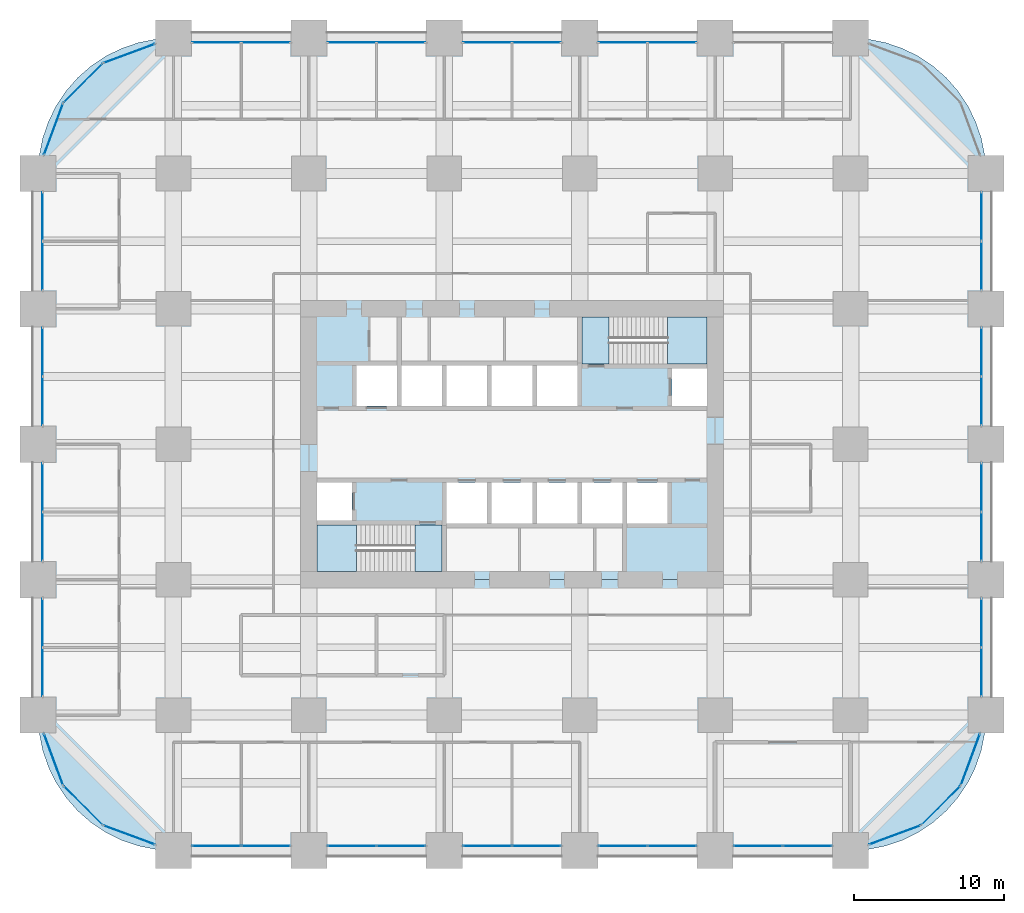
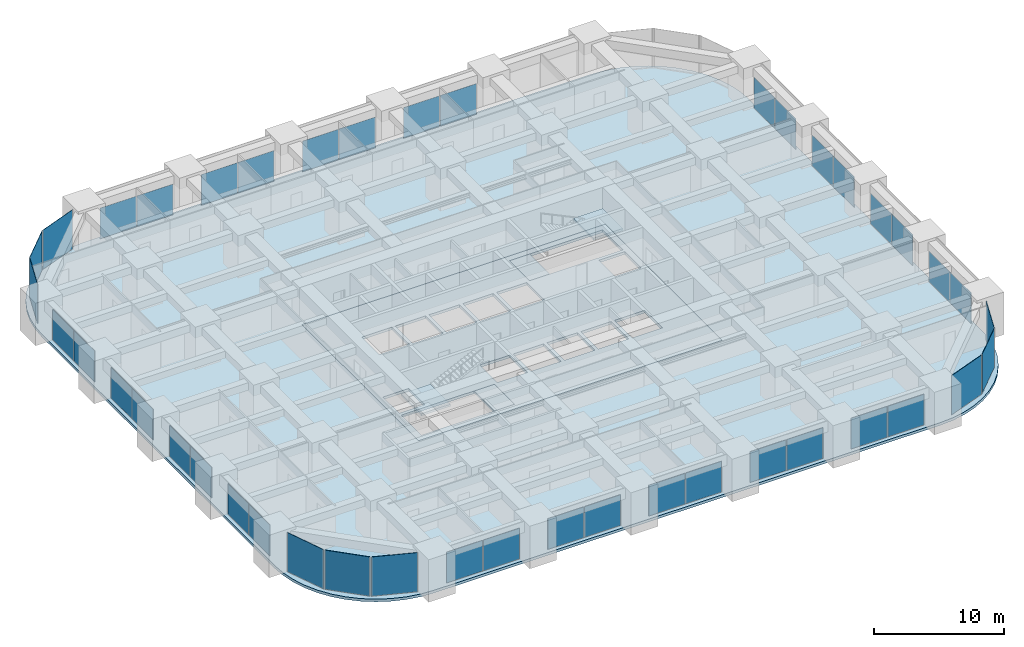
# One storey, part 38 of 44: 43 plates, 6 slabs, 28 elements without a shape of their own.
"""IFC4 building model written with IfcOpenShell, lengths in metres."""

from ifc_helpers import new_model, si_unit, direction, frame, origin, origin_2d, place, context, subcontext, project, spatial, polyline, rectangle, outline, extrude, material, layer, layer_set, type_object, element, aggregate, save


model = new_model("IFC4")

# Units and contexts
model_context = context("Model", 3, precision=1e-05, world=origin(), true_north=direction((0.0, 1.0)))
body_context = subcontext(model_context, "Body", "Model", "MODEL_VIEW")
ifc_project = project(units=[si_unit("LENGTHUNIT", "METRE"), si_unit("AREAUNIT", "SQUARE_METRE"), si_unit("VOLUMEUNIT", "CUBIC_METRE"), si_unit("PLANEANGLEUNIT", "RADIAN"), si_unit("MASSUNIT", "GRAM", prefix="KILO")], contexts=[model_context])

# Site, building, storey
site_placement = place(None, origin())
site = spatial("IfcSite", under=ifc_project, at=site_placement, CompositionType="ELEMENT")
building_placement = place(site_placement, origin())
building = spatial("IfcBuilding", under=site, at=building_placement, Name="Zorevar Civic Tower", CompositionType="ELEMENT")
storey_placement = place(building_placement, frame((0.0, 0.0, 35.800048828125)))
storey = spatial("IfcBuildingStorey", under=building, at=storey_placement, Name="L08", CompositionType="ELEMENT", Elevation=35.800048828125)

# Curtain wall, plates
ifc_material_1 = material(Name="Dark grey solar-control glass in black aluminium frame", Category="aluminium")
curtain_wall_type = type_object("IfcCurtainWallType", Name="Curtain wall CW2 low zone", PredefinedType="NOTDEFINED", material=ifc_material_1)
curtain_wall_1_placement = place(storey_placement, origin())
curtain_wall_1 = element("IfcCurtainWall", 1, at=curtain_wall_1_placement, inside=storey, type_object=curtain_wall_type, Name="CW2 L08", PredefinedType="NOTDEFINED")
ifc_material_2 = material(Name="Dark grey solar-control glass", Category="glass")
ifc_layer_1 = layer(ifc_material_2, 0.031982421875)
ifc_layer_set_1 = layer_set([ifc_layer_1], Name="CW2 panel 32")
plate_type = type_object("IfcPlateType", Name="CW2 panel 32", PredefinedType="CURTAIN_PANEL", material=ifc_layer_set_1)
plate_1_placement = place(storey_placement, frame((11.864990234375, 0.300048828125, 0.06005859375), z_axis=(0.0, 0.0, 1.0), x_axis=(1.0, 0.0, 0.0)))
plate_1 = element("IfcPlate", 2, at=plate_1_placement, type_object=plate_type, Name="CW2 panel 1.1", PredefinedType="CURTAIN_PANEL", context=body_context, shape_type="SweptSolid", body=[
    extrude(rectangle(XDim=3.2099609375, YDim=0.031982421875, at=origin_2d()), origin(), (0.0, 0.0, 1.0), 2.889892578125),
])
plate_2_placement = place(storey_placement, frame((15.135009765625, 0.300048828125, 0.06005859375), z_axis=(0.0, 0.0, 1.0), x_axis=(1.0, 0.0, 0.0)))
plate_2 = element("IfcPlate", 3, at=plate_2_placement, type_object=plate_type, Name="CW2 panel 2.1", PredefinedType="CURTAIN_PANEL", context=body_context, shape_type="SweptSolid", body=[
    extrude(rectangle(XDim=3.2099609375, YDim=0.031982421875, at=origin_2d()), origin(), (0.0, 0.0, 1.0), 2.889892578125),
])
aggregate(curtain_wall_1, [plate_1, plate_2])

curtain_wall_2_placement = place(storey_placement, origin())
curtain_wall_2 = element("IfcCurtainWall", 4, at=curtain_wall_2_placement, inside=storey, type_object=curtain_wall_type, Name="CW2 L08", PredefinedType="NOTDEFINED")
plate_3_placement = place(storey_placement, frame((11.864990234375, 53.699951171875, 0.06005859375), z_axis=(0.0, 0.0, 1.0), x_axis=(1.0, 0.0, 0.0)))
plate_3 = element("IfcPlate", 5, at=plate_3_placement, type_object=plate_type, Name="CW2 panel 1.1", PredefinedType="CURTAIN_PANEL", context=body_context, shape_type="SweptSolid", body=[
    extrude(rectangle(XDim=3.2099609375, YDim=0.031982421875, at=origin_2d()), origin(), (0.0, 0.0, 1.0), 2.889892578125),
])
plate_4_placement = place(storey_placement, frame((15.135009765625, 53.699951171875, 0.06005859375), z_axis=(0.0, 0.0, 1.0), x_axis=(1.0, 0.0, 0.0)))
plate_4 = element("IfcPlate", 6, at=plate_4_placement, type_object=plate_type, Name="CW2 panel 2.1", PredefinedType="CURTAIN_PANEL", context=body_context, shape_type="SweptSolid", body=[
    extrude(rectangle(XDim=3.2099609375, YDim=0.031982421875, at=origin_2d()), origin(), (0.0, 0.0, 1.0), 2.889892578125),
])
aggregate(curtain_wall_2, [plate_3, plate_4])

curtain_wall_3_placement = place(storey_placement, origin())
curtain_wall_3 = element("IfcCurtainWall", 7, at=curtain_wall_3_placement, inside=storey, type_object=curtain_wall_type, Name="CW2 L08", PredefinedType="NOTDEFINED")
plate_5_placement = place(storey_placement, frame((20.864990234375, 0.300048828125, 0.06005859375), z_axis=(0.0, 0.0, 1.0), x_axis=(1.0, 0.0, 0.0)))
plate_5 = element("IfcPlate", 8, at=plate_5_placement, type_object=plate_type, Name="CW2 panel 1.1", PredefinedType="CURTAIN_PANEL", context=body_context, shape_type="SweptSolid", body=[
    extrude(rectangle(XDim=3.2099609375, YDim=0.031982421875, at=origin_2d()), origin(), (0.0, 0.0, 1.0), 2.889892578125),
])
plate_6_placement = place(storey_placement, frame((24.135009765625, 0.300048828125, 0.06005859375), z_axis=(0.0, 0.0, 1.0), x_axis=(1.0, 0.0, 0.0)))
plate_6 = element("IfcPlate", 9, at=plate_6_placement, type_object=plate_type, Name="CW2 panel 2.1", PredefinedType="CURTAIN_PANEL", context=body_context, shape_type="SweptSolid", body=[
    extrude(rectangle(XDim=3.2099609375, YDim=0.031982421875, at=origin_2d()), origin(), (0.0, 0.0, 1.0), 2.889892578125),
])
aggregate(curtain_wall_3, [plate_5, plate_6])

curtain_wall_4_placement = place(storey_placement, origin())
curtain_wall_4 = element("IfcCurtainWall", 10, at=curtain_wall_4_placement, inside=storey, type_object=curtain_wall_type, Name="CW2 L08", PredefinedType="NOTDEFINED")
plate_7_placement = place(storey_placement, frame((20.864990234375, 53.699951171875, 0.06005859375), z_axis=(0.0, 0.0, 1.0), x_axis=(1.0, 0.0, 0.0)))
plate_7 = element("IfcPlate", 11, at=plate_7_placement, type_object=plate_type, Name="CW2 panel 1.1", PredefinedType="CURTAIN_PANEL", context=body_context, shape_type="SweptSolid", body=[
    extrude(rectangle(XDim=3.2099609375, YDim=0.031982421875, at=origin_2d()), origin(), (0.0, 0.0, 1.0), 2.889892578125),
])
plate_8_placement = place(storey_placement, frame((24.135009765625, 53.699951171875, 0.06005859375), z_axis=(0.0, 0.0, 1.0), x_axis=(1.0, 0.0, 0.0)))
plate_8 = element("IfcPlate", 12, at=plate_8_placement, type_object=plate_type, Name="CW2 panel 2.1", PredefinedType="CURTAIN_PANEL", context=body_context, shape_type="SweptSolid", body=[
    extrude(rectangle(XDim=3.2099609375, YDim=0.031982421875, at=origin_2d()), origin(), (0.0, 0.0, 1.0), 2.889892578125),
])
aggregate(curtain_wall_4, [plate_7, plate_8])

curtain_wall_5_placement = place(storey_placement, origin())
curtain_wall_5 = element("IfcCurtainWall", 13, at=curtain_wall_5_placement, inside=storey, type_object=curtain_wall_type, Name="CW2 L08", PredefinedType="NOTDEFINED")
plate_9_placement = place(storey_placement, frame((29.864990234375, 0.300048828125, 0.06005859375), z_axis=(0.0, 0.0, 1.0), x_axis=(1.0, 0.0, 0.0)))
plate_9 = element("IfcPlate", 14, at=plate_9_placement, type_object=plate_type, Name="CW2 panel 1.1", PredefinedType="CURTAIN_PANEL", context=body_context, shape_type="SweptSolid", body=[
    extrude(rectangle(XDim=3.2099609375, YDim=0.031982421875, at=origin_2d()), origin(), (0.0, 0.0, 1.0), 2.889892578125),
])
plate_10_placement = place(storey_placement, frame((33.135009765625, 0.300048828125, 0.06005859375), z_axis=(0.0, 0.0, 1.0), x_axis=(1.0, 0.0, 0.0)))
plate_10 = element("IfcPlate", 15, at=plate_10_placement, type_object=plate_type, Name="CW2 panel 2.1", PredefinedType="CURTAIN_PANEL", context=body_context, shape_type="SweptSolid", body=[
    extrude(rectangle(XDim=3.2099609375, YDim=0.031982421875, at=origin_2d()), origin(), (0.0, 0.0, 1.0), 2.889892578125),
])
aggregate(curtain_wall_5, [plate_9, plate_10])

curtain_wall_6_placement = place(storey_placement, origin())
curtain_wall_6 = element("IfcCurtainWall", 16, at=curtain_wall_6_placement, inside=storey, type_object=curtain_wall_type, Name="CW2 L08", PredefinedType="NOTDEFINED")
plate_11_placement = place(storey_placement, frame((29.864990234375, 53.699951171875, 0.06005859375), z_axis=(0.0, 0.0, 1.0), x_axis=(1.0, 0.0, 0.0)))
plate_11 = element("IfcPlate", 17, at=plate_11_placement, type_object=plate_type, Name="CW2 panel 1.1", PredefinedType="CURTAIN_PANEL", context=body_context, shape_type="SweptSolid", body=[
    extrude(rectangle(XDim=3.2099609375, YDim=0.031982421875, at=origin_2d()), origin(), (0.0, 0.0, 1.0), 2.889892578125),
])
plate_12_placement = place(storey_placement, frame((33.135009765625, 53.699951171875, 0.06005859375), z_axis=(0.0, 0.0, 1.0), x_axis=(1.0, 0.0, 0.0)))
plate_12 = element("IfcPlate", 18, at=plate_12_placement, type_object=plate_type, Name="CW2 panel 2.1", PredefinedType="CURTAIN_PANEL", context=body_context, shape_type="SweptSolid", body=[
    extrude(rectangle(XDim=3.2099609375, YDim=0.031982421875, at=origin_2d()), origin(), (0.0, 0.0, 1.0), 2.889892578125),
])
aggregate(curtain_wall_6, [plate_11, plate_12])

curtain_wall_7_placement = place(storey_placement, origin())
curtain_wall_7 = element("IfcCurtainWall", 19, at=curtain_wall_7_placement, inside=storey, type_object=curtain_wall_type, Name="CW2 L08", PredefinedType="NOTDEFINED")
plate_13_placement = place(storey_placement, frame((38.864990234375, 0.300048828125, 0.06005859375), z_axis=(0.0, 0.0, 1.0), x_axis=(1.0, 0.0, 0.0)))
plate_13 = element("IfcPlate", 20, at=plate_13_placement, type_object=plate_type, Name="CW2 panel 1.1", PredefinedType="CURTAIN_PANEL", context=body_context, shape_type="SweptSolid", body=[
    extrude(rectangle(XDim=3.2099609375, YDim=0.031982421875, at=origin_2d()), origin(), (0.0, 0.0, 1.0), 2.889892578125),
])
plate_14_placement = place(storey_placement, frame((42.135009765625, 0.300048828125, 0.06005859375), z_axis=(0.0, 0.0, 1.0), x_axis=(1.0, 0.0, 0.0)))
plate_14 = element("IfcPlate", 21, at=plate_14_placement, type_object=plate_type, Name="CW2 panel 2.1", PredefinedType="CURTAIN_PANEL", context=body_context, shape_type="SweptSolid", body=[
    extrude(rectangle(XDim=3.2099609375, YDim=0.031982421875, at=origin_2d()), origin(), (0.0, 0.0, 1.0), 2.889892578125),
])
aggregate(curtain_wall_7, [plate_13, plate_14])

curtain_wall_8_placement = place(storey_placement, origin())
curtain_wall_8 = element("IfcCurtainWall", 22, at=curtain_wall_8_placement, inside=storey, type_object=curtain_wall_type, Name="CW2 L08", PredefinedType="NOTDEFINED")
plate_15_placement = place(storey_placement, frame((38.864990234375, 53.699951171875, 0.06005859375), z_axis=(0.0, 0.0, 1.0), x_axis=(1.0, 0.0, 0.0)))
plate_15 = element("IfcPlate", 23, at=plate_15_placement, type_object=plate_type, Name="CW2 panel 1.1", PredefinedType="CURTAIN_PANEL", context=body_context, shape_type="SweptSolid", body=[
    extrude(rectangle(XDim=3.2099609375, YDim=0.031982421875, at=origin_2d()), origin(), (0.0, 0.0, 1.0), 2.889892578125),
])
plate_16_placement = place(storey_placement, frame((42.135009765625, 53.699951171875, 0.06005859375), z_axis=(0.0, 0.0, 1.0), x_axis=(1.0, 0.0, 0.0)))
plate_16 = element("IfcPlate", 24, at=plate_16_placement, type_object=plate_type, Name="CW2 panel 2.1", PredefinedType="CURTAIN_PANEL", context=body_context, shape_type="SweptSolid", body=[
    extrude(rectangle(XDim=3.2099609375, YDim=0.031982421875, at=origin_2d()), origin(), (0.0, 0.0, 1.0), 2.889892578125),
])
aggregate(curtain_wall_8, [plate_15, plate_16])

curtain_wall_9_placement = place(storey_placement, origin())
curtain_wall_9 = element("IfcCurtainWall", 25, at=curtain_wall_9_placement, inside=storey, type_object=curtain_wall_type, Name="CW2 L08", PredefinedType="NOTDEFINED")
plate_17_placement = place(storey_placement, frame((47.864990234375, 0.300048828125, 0.06005859375), z_axis=(0.0, 0.0, 1.0), x_axis=(1.0, 0.0, 0.0)))
plate_17 = element("IfcPlate", 26, at=plate_17_placement, type_object=plate_type, Name="CW2 panel 1.1", PredefinedType="CURTAIN_PANEL", context=body_context, shape_type="SweptSolid", body=[
    extrude(rectangle(XDim=3.2099609375, YDim=0.031982421875, at=origin_2d()), origin(), (0.0, 0.0, 1.0), 2.889892578125),
])
plate_18_placement = place(storey_placement, frame((51.135009765625, 0.300048828125, 0.06005859375), z_axis=(0.0, 0.0, 1.0), x_axis=(1.0, 0.0, 0.0)))
plate_18 = element("IfcPlate", 27, at=plate_18_placement, type_object=plate_type, Name="CW2 panel 2.1", PredefinedType="CURTAIN_PANEL", context=body_context, shape_type="SweptSolid", body=[
    extrude(rectangle(XDim=3.2099609375, YDim=0.031982421875, at=origin_2d()), origin(), (0.0, 0.0, 1.0), 2.889892578125),
])
aggregate(curtain_wall_9, [plate_17, plate_18])

curtain_wall_10_placement = place(storey_placement, origin())
curtain_wall_10 = element("IfcCurtainWall", 28, at=curtain_wall_10_placement, inside=storey, type_object=curtain_wall_type, Name="CW2 L08", PredefinedType="NOTDEFINED")
plate_19_placement = place(storey_placement, frame((0.300048828125, 11.864990234375, 0.06005859375), z_axis=(0.0, 0.0, 1.0), x_axis=(0.0, 1.0, 0.0)))
plate_19 = element("IfcPlate", 29, at=plate_19_placement, type_object=plate_type, Name="CW2 panel 1.1", PredefinedType="CURTAIN_PANEL", context=body_context, shape_type="SweptSolid", body=[
    extrude(rectangle(XDim=3.2099609375, YDim=0.031982421875, at=origin_2d()), origin(), (0.0, 0.0, 1.0), 2.889892578125),
])
plate_20_placement = place(storey_placement, frame((0.300048828125, 15.135009765625, 0.06005859375), z_axis=(0.0, 0.0, 1.0), x_axis=(0.0, 1.0, 0.0)))
plate_20 = element("IfcPlate", 30, at=plate_20_placement, type_object=plate_type, Name="CW2 panel 2.1", PredefinedType="CURTAIN_PANEL", context=body_context, shape_type="SweptSolid", body=[
    extrude(rectangle(XDim=3.2099609375, YDim=0.031982421875, at=origin_2d()), origin(), (0.0, 0.0, 1.0), 2.889892578125),
])
aggregate(curtain_wall_10, [plate_19, plate_20])

curtain_wall_11_placement = place(storey_placement, origin())
curtain_wall_11 = element("IfcCurtainWall", 31, at=curtain_wall_11_placement, inside=storey, type_object=curtain_wall_type, Name="CW2 L08", PredefinedType="NOTDEFINED")
plate_21_placement = place(storey_placement, frame((62.699951171875, 11.864990234375, 0.06005859375), z_axis=(0.0, 0.0, 1.0), x_axis=(0.0, 1.0, 0.0)))
plate_21 = element("IfcPlate", 32, at=plate_21_placement, type_object=plate_type, Name="CW2 panel 1.1", PredefinedType="CURTAIN_PANEL", context=body_context, shape_type="SweptSolid", body=[
    extrude(rectangle(XDim=3.2099609375, YDim=0.031982421875, at=origin_2d()), origin(), (0.0, 0.0, 1.0), 2.889892578125),
])
plate_22_placement = place(storey_placement, frame((62.699951171875, 15.135009765625, 0.06005859375), z_axis=(0.0, 0.0, 1.0), x_axis=(0.0, 1.0, 0.0)))
plate_22 = element("IfcPlate", 33, at=plate_22_placement, type_object=plate_type, Name="CW2 panel 2.1", PredefinedType="CURTAIN_PANEL", context=body_context, shape_type="SweptSolid", body=[
    extrude(rectangle(XDim=3.2099609375, YDim=0.031982421875, at=origin_2d()), origin(), (0.0, 0.0, 1.0), 2.889892578125),
])
aggregate(curtain_wall_11, [plate_21, plate_22])

curtain_wall_12_placement = place(storey_placement, origin())
curtain_wall_12 = element("IfcCurtainWall", 34, at=curtain_wall_12_placement, inside=storey, type_object=curtain_wall_type, Name="CW2 L08", PredefinedType="NOTDEFINED")
plate_23_placement = place(storey_placement, frame((0.300048828125, 20.864990234375, 0.06005859375), z_axis=(0.0, 0.0, 1.0), x_axis=(0.0, 1.0, 0.0)))
plate_23 = element("IfcPlate", 35, at=plate_23_placement, type_object=plate_type, Name="CW2 panel 1.1", PredefinedType="CURTAIN_PANEL", context=body_context, shape_type="SweptSolid", body=[
    extrude(rectangle(XDim=3.2099609375, YDim=0.031982421875, at=origin_2d()), origin(), (0.0, 0.0, 1.0), 2.889892578125),
])
plate_24_placement = place(storey_placement, frame((0.300048828125, 24.135009765625, 0.06005859375), z_axis=(0.0, 0.0, 1.0), x_axis=(0.0, 1.0, 0.0)))
plate_24 = element("IfcPlate", 36, at=plate_24_placement, type_object=plate_type, Name="CW2 panel 2.1", PredefinedType="CURTAIN_PANEL", context=body_context, shape_type="SweptSolid", body=[
    extrude(rectangle(XDim=3.2099609375, YDim=0.031982421875, at=origin_2d()), origin(), (0.0, 0.0, 1.0), 2.889892578125),
])
aggregate(curtain_wall_12, [plate_23, plate_24])

curtain_wall_13_placement = place(storey_placement, origin())
curtain_wall_13 = element("IfcCurtainWall", 37, at=curtain_wall_13_placement, inside=storey, type_object=curtain_wall_type, Name="CW2 L08", PredefinedType="NOTDEFINED")
plate_25_placement = place(storey_placement, frame((62.699951171875, 20.864990234375, 0.06005859375), z_axis=(0.0, 0.0, 1.0), x_axis=(0.0, 1.0, 0.0)))
plate_25 = element("IfcPlate", 38, at=plate_25_placement, type_object=plate_type, Name="CW2 panel 1.1", PredefinedType="CURTAIN_PANEL", context=body_context, shape_type="SweptSolid", body=[
    extrude(rectangle(XDim=3.2099609375, YDim=0.031982421875, at=origin_2d()), origin(), (0.0, 0.0, 1.0), 2.889892578125),
])
plate_26_placement = place(storey_placement, frame((62.699951171875, 24.135009765625, 0.06005859375), z_axis=(0.0, 0.0, 1.0), x_axis=(0.0, 1.0, 0.0)))
plate_26 = element("IfcPlate", 39, at=plate_26_placement, type_object=plate_type, Name="CW2 panel 2.1", PredefinedType="CURTAIN_PANEL", context=body_context, shape_type="SweptSolid", body=[
    extrude(rectangle(XDim=3.2099609375, YDim=0.031982421875, at=origin_2d()), origin(), (0.0, 0.0, 1.0), 2.889892578125),
])
aggregate(curtain_wall_13, [plate_25, plate_26])

curtain_wall_14_placement = place(storey_placement, origin())
curtain_wall_14 = element("IfcCurtainWall", 40, at=curtain_wall_14_placement, inside=storey, type_object=curtain_wall_type, Name="CW2 L08", PredefinedType="NOTDEFINED")
plate_27_placement = place(storey_placement, frame((0.300048828125, 29.864990234375, 0.06005859375), z_axis=(0.0, 0.0, 1.0), x_axis=(0.0, 1.0, 0.0)))
plate_27 = element("IfcPlate", 41, at=plate_27_placement, type_object=plate_type, Name="CW2 panel 1.1", PredefinedType="CURTAIN_PANEL", context=body_context, shape_type="SweptSolid", body=[
    extrude(rectangle(XDim=3.2099609375, YDim=0.031982421875, at=origin_2d()), origin(), (0.0, 0.0, 1.0), 2.889892578125),
])
plate_28_placement = place(storey_placement, frame((0.300048828125, 33.135009765625, 0.06005859375), z_axis=(0.0, 0.0, 1.0), x_axis=(0.0, 1.0, 0.0)))
plate_28 = element("IfcPlate", 42, at=plate_28_placement, type_object=plate_type, Name="CW2 panel 2.1", PredefinedType="CURTAIN_PANEL", context=body_context, shape_type="SweptSolid", body=[
    extrude(rectangle(XDim=3.2099609375, YDim=0.031982421875, at=origin_2d()), origin(), (0.0, 0.0, 1.0), 2.889892578125),
])
aggregate(curtain_wall_14, [plate_27, plate_28])

curtain_wall_15_placement = place(storey_placement, origin())
curtain_wall_15 = element("IfcCurtainWall", 43, at=curtain_wall_15_placement, inside=storey, type_object=curtain_wall_type, Name="CW2 L08", PredefinedType="NOTDEFINED")
plate_29_placement = place(storey_placement, frame((62.699951171875, 29.864990234375, 0.06005859375), z_axis=(0.0, 0.0, 1.0), x_axis=(0.0, 1.0, 0.0)))
plate_29 = element("IfcPlate", 44, at=plate_29_placement, type_object=plate_type, Name="CW2 panel 1.1", PredefinedType="CURTAIN_PANEL", context=body_context, shape_type="SweptSolid", body=[
    extrude(rectangle(XDim=3.2099609375, YDim=0.031982421875, at=origin_2d()), origin(), (0.0, 0.0, 1.0), 2.889892578125),
])
plate_30_placement = place(storey_placement, frame((62.699951171875, 33.135009765625, 0.06005859375), z_axis=(0.0, 0.0, 1.0), x_axis=(0.0, 1.0, 0.0)))
plate_30 = element("IfcPlate", 45, at=plate_30_placement, type_object=plate_type, Name="CW2 panel 2.1", PredefinedType="CURTAIN_PANEL", context=body_context, shape_type="SweptSolid", body=[
    extrude(rectangle(XDim=3.2099609375, YDim=0.031982421875, at=origin_2d()), origin(), (0.0, 0.0, 1.0), 2.889892578125),
])
aggregate(curtain_wall_15, [plate_29, plate_30])

curtain_wall_16_placement = place(storey_placement, origin())
curtain_wall_16 = element("IfcCurtainWall", 46, at=curtain_wall_16_placement, inside=storey, type_object=curtain_wall_type, Name="CW2 L08", PredefinedType="NOTDEFINED")
plate_31_placement = place(storey_placement, frame((0.300048828125, 38.864990234375, 0.06005859375), z_axis=(0.0, 0.0, 1.0), x_axis=(0.0, 1.0, 0.0)))
plate_31 = element("IfcPlate", 47, at=plate_31_placement, type_object=plate_type, Name="CW2 panel 1.1", PredefinedType="CURTAIN_PANEL", context=body_context, shape_type="SweptSolid", body=[
    extrude(rectangle(XDim=3.2099609375, YDim=0.031982421875, at=origin_2d()), origin(), (0.0, 0.0, 1.0), 2.889892578125),
])
plate_32_placement = place(storey_placement, frame((0.300048828125, 42.135009765625, 0.06005859375), z_axis=(0.0, 0.0, 1.0), x_axis=(0.0, 1.0, 0.0)))
plate_32 = element("IfcPlate", 48, at=plate_32_placement, type_object=plate_type, Name="CW2 panel 2.1", PredefinedType="CURTAIN_PANEL", context=body_context, shape_type="SweptSolid", body=[
    extrude(rectangle(XDim=3.2099609375, YDim=0.031982421875, at=origin_2d()), origin(), (0.0, 0.0, 1.0), 2.889892578125),
])
aggregate(curtain_wall_16, [plate_31, plate_32])

curtain_wall_17_placement = place(storey_placement, origin())
curtain_wall_17 = element("IfcCurtainWall", 49, at=curtain_wall_17_placement, inside=storey, type_object=curtain_wall_type, Name="CW2 L08", PredefinedType="NOTDEFINED")
plate_33_placement = place(storey_placement, frame((62.699951171875, 38.864990234375, 0.06005859375), z_axis=(0.0, 0.0, 1.0), x_axis=(0.0, 1.0, 0.0)))
plate_33 = element("IfcPlate", 50, at=plate_33_placement, type_object=plate_type, Name="CW2 panel 1.1", PredefinedType="CURTAIN_PANEL", context=body_context, shape_type="SweptSolid", body=[
    extrude(rectangle(XDim=3.2099609375, YDim=0.031982421875, at=origin_2d()), origin(), (0.0, 0.0, 1.0), 2.889892578125),
])
plate_34_placement = place(storey_placement, frame((62.699951171875, 42.135009765625, 0.06005859375), z_axis=(0.0, 0.0, 1.0), x_axis=(0.0, 1.0, 0.0)))
plate_34 = element("IfcPlate", 51, at=plate_34_placement, type_object=plate_type, Name="CW2 panel 2.1", PredefinedType="CURTAIN_PANEL", context=body_context, shape_type="SweptSolid", body=[
    extrude(rectangle(XDim=3.2099609375, YDim=0.031982421875, at=origin_2d()), origin(), (0.0, 0.0, 1.0), 2.889892578125),
])
aggregate(curtain_wall_17, [plate_33, plate_34])

# Curtain wall, plate
curtain_wall_18_placement = place(storey_placement, origin())
curtain_wall_18 = element("IfcCurtainWall", 52, at=curtain_wall_18_placement, inside=storey, type_object=curtain_wall_type, Name="CW2 L08", PredefinedType="NOTDEFINED")
plate_35_placement = place(storey_placement, frame((56.9462890625, 1.02880859375, 0.06005859375), z_axis=(0.0, 0.0, 1.0), x_axis=(0.937974588163, 0.346704012033, 0.0)))
plate_35 = element("IfcPlate", 53, at=plate_35_placement, type_object=plate_type, Name="CW2 panel 1.1", PredefinedType="CURTAIN_PANEL", context=body_context, shape_type="SweptSolid", body=[
    extrude(rectangle(XDim=3.603759765625, YDim=0.031982421875, at=origin_2d()), origin(), (0.0, 0.0, 1.0), 3.68994140625),
])
aggregate(curtain_wall_18, [plate_35])

curtain_wall_19_placement = place(storey_placement, origin())
curtain_wall_19 = element("IfcCurtainWall", 54, at=curtain_wall_19_placement, inside=storey, type_object=curtain_wall_type, Name="CW2 L08", PredefinedType="NOTDEFINED")
plate_36_placement = place(storey_placement, frame((60.00927734375, 2.99072265625, 0.06005859375), z_axis=(0.0, 0.0, 1.0), x_axis=(0.707106781187, 0.707106781187, 0.0)))
plate_36 = element("IfcPlate", 55, at=plate_36_placement, type_object=plate_type, Name="CW2 panel 1.1", PredefinedType="CURTAIN_PANEL", context=body_context, shape_type="SweptSolid", body=[
    extrude(rectangle(XDim=3.603759765625, YDim=0.031982421875, at=origin_2d()), origin(), (0.0, 0.0, 1.0), 3.68994140625),
])
aggregate(curtain_wall_19, [plate_36])

curtain_wall_20_placement = place(storey_placement, origin())
curtain_wall_20 = element("IfcCurtainWall", 56, at=curtain_wall_20_placement, inside=storey, type_object=curtain_wall_type, Name="CW2 L08", PredefinedType="NOTDEFINED")
plate_37_placement = place(storey_placement, frame((61.97119140625, 6.0537109375, 0.06005859375), z_axis=(0.0, 0.0, 1.0), x_axis=(0.346704012033, 0.937974588163, 0.0)))
plate_37 = element("IfcPlate", 57, at=plate_37_placement, type_object=plate_type, Name="CW2 panel 1.1", PredefinedType="CURTAIN_PANEL", context=body_context, shape_type="SweptSolid", body=[
    extrude(rectangle(XDim=3.603759765625, YDim=0.031982421875, at=origin_2d()), origin(), (0.0, 0.0, 1.0), 3.68994140625),
])
aggregate(curtain_wall_20, [plate_37])

curtain_wall_21_placement = place(storey_placement, origin())
curtain_wall_21 = element("IfcCurtainWall", 58, at=curtain_wall_21_placement, inside=storey, type_object=curtain_wall_type, Name="CW2 L08", PredefinedType="NOTDEFINED")
plate_38_placement = place(storey_placement, frame((6.0537109375, 52.97119140625, 0.06005859375), z_axis=(0.0, 0.0, 1.0), x_axis=(-0.937974588163, -0.346704012033, 0.0)))
plate_38 = element("IfcPlate", 59, at=plate_38_placement, type_object=plate_type, Name="CW2 panel 1.1", PredefinedType="CURTAIN_PANEL", context=body_context, shape_type="SweptSolid", body=[
    extrude(rectangle(XDim=3.603759765625, YDim=0.031982421875, at=origin_2d()), origin(), (0.0, 0.0, 1.0), 3.68994140625),
])
aggregate(curtain_wall_21, [plate_38])

curtain_wall_22_placement = place(storey_placement, origin())
curtain_wall_22 = element("IfcCurtainWall", 60, at=curtain_wall_22_placement, inside=storey, type_object=curtain_wall_type, Name="CW2 L08", PredefinedType="NOTDEFINED")
plate_39_placement = place(storey_placement, frame((2.99072265625, 51.00927734375, 0.06005859375), z_axis=(0.0, 0.0, 1.0), x_axis=(-0.707106781187, -0.707106781187, 0.0)))
plate_39 = element("IfcPlate", 61, at=plate_39_placement, type_object=plate_type, Name="CW2 panel 1.1", PredefinedType="CURTAIN_PANEL", context=body_context, shape_type="SweptSolid", body=[
    extrude(rectangle(XDim=3.603759765625, YDim=0.031982421875, at=origin_2d()), origin(), (0.0, 0.0, 1.0), 3.68994140625),
])
aggregate(curtain_wall_22, [plate_39])

curtain_wall_23_placement = place(storey_placement, origin())
curtain_wall_23 = element("IfcCurtainWall", 62, at=curtain_wall_23_placement, inside=storey, type_object=curtain_wall_type, Name="CW2 L08", PredefinedType="NOTDEFINED")
plate_40_placement = place(storey_placement, frame((1.02880859375, 47.9462890625, 0.06005859375), z_axis=(0.0, 0.0, 1.0), x_axis=(-0.346704012033, -0.937974588163, 0.0)))
plate_40 = element("IfcPlate", 63, at=plate_40_placement, type_object=plate_type, Name="CW2 panel 1.1", PredefinedType="CURTAIN_PANEL", context=body_context, shape_type="SweptSolid", body=[
    extrude(rectangle(XDim=3.603759765625, YDim=0.031982421875, at=origin_2d()), origin(), (0.0, 0.0, 1.0), 3.68994140625),
])
aggregate(curtain_wall_23, [plate_40])

curtain_wall_24_placement = place(storey_placement, origin())
curtain_wall_24 = element("IfcCurtainWall", 64, at=curtain_wall_24_placement, inside=storey, type_object=curtain_wall_type, Name="CW2 L08", PredefinedType="NOTDEFINED")
plate_41_placement = place(storey_placement, frame((1.02880859375, 6.0537109375, 0.06005859375), z_axis=(0.0, 0.0, 1.0), x_axis=(0.346704012033, -0.937974588163, 0.0)))
plate_41 = element("IfcPlate", 65, at=plate_41_placement, type_object=plate_type, Name="CW2 panel 1.1", PredefinedType="CURTAIN_PANEL", context=body_context, shape_type="SweptSolid", body=[
    extrude(rectangle(XDim=3.603759765625, YDim=0.031982421875, at=origin_2d()), origin(), (0.0, 0.0, 1.0), 3.68994140625),
])
aggregate(curtain_wall_24, [plate_41])

curtain_wall_25_placement = place(storey_placement, origin())
curtain_wall_25 = element("IfcCurtainWall", 66, at=curtain_wall_25_placement, inside=storey, type_object=curtain_wall_type, Name="CW2 L08", PredefinedType="NOTDEFINED")
plate_42_placement = place(storey_placement, frame((2.99072265625, 2.99072265625, 0.06005859375), z_axis=(0.0, 0.0, 1.0), x_axis=(0.707106781187, -0.707106781187, 0.0)))
plate_42 = element("IfcPlate", 67, at=plate_42_placement, type_object=plate_type, Name="CW2 panel 1.1", PredefinedType="CURTAIN_PANEL", context=body_context, shape_type="SweptSolid", body=[
    extrude(rectangle(XDim=3.603759765625, YDim=0.031982421875, at=origin_2d()), origin(), (0.0, 0.0, 1.0), 3.68994140625),
])
aggregate(curtain_wall_25, [plate_42])

curtain_wall_26_placement = place(storey_placement, origin())
curtain_wall_26 = element("IfcCurtainWall", 68, at=curtain_wall_26_placement, inside=storey, type_object=curtain_wall_type, Name="CW2 L08", PredefinedType="NOTDEFINED")
plate_43_placement = place(storey_placement, frame((6.0537109375, 1.02880859375, 0.06005859375), z_axis=(0.0, 0.0, 1.0), x_axis=(0.937974588163, -0.346704012033, 0.0)))
plate_43 = element("IfcPlate", 69, at=plate_43_placement, type_object=plate_type, Name="CW2 panel 1.1", PredefinedType="CURTAIN_PANEL", context=body_context, shape_type="SweptSolid", body=[
    extrude(rectangle(XDim=3.603759765625, YDim=0.031982421875, at=origin_2d()), origin(), (0.0, 0.0, 1.0), 3.68994140625),
])
aggregate(curtain_wall_26, [plate_43])

# Slabs
ifc_material_3 = material(Name="Concrete C40/50", Category="concrete")
ifc_layer_2 = layer(ifc_material_3, 0.25)
ifc_layer_set_2 = layer_set([ifc_layer_2], Name="Floor slab 250")
slab_type_1 = type_object("IfcSlabType", Name="Floor slab 250", PredefinedType="FLOOR", material=ifc_layer_set_2)
slab_1_placement = place(storey_placement, frame((0.0, 0.0, -0.25)))
element("IfcSlab", 70, at=slab_1_placement, inside=storey, type_object=slab_type_1, Name="Floor slab L08", PredefinedType="FLOOR", context=body_context, shape_type="SweptSolid", body=[
    extrude(outline(polyline([(54.0, 0.0), (55.1748046875, 0.076904296875), (56.329345703125, 0.306640625), (57.444091796875, 0.68505859375), (58.5, 1.205810546875), (59.478759765625, 1.85986328125), (60.364013671875, 2.635986328125), (61.14013671875, 3.521240234375), (61.794189453125, 4.5), (62.31494140625, 5.555908203125), (62.693359375, 6.670654296875), (62.923095703125, 7.8251953125), (63.0, 9.0), (63.0, 45.0), (62.923095703125, 46.1748046875), (62.693359375, 47.329345703125), (62.31494140625, 48.444091796875), (61.794189453125, 49.5), (61.14013671875, 50.478759765625), (60.364013671875, 51.364013671875), (59.478759765625, 52.14013671875), (58.5, 52.794189453125), (57.444091796875, 53.31494140625), (56.329345703125, 53.693359375), (55.1748046875, 53.923095703125), (54.0, 54.0), (9.0, 54.0), (7.8251953125, 53.923095703125), (6.670654296875, 53.693359375), (5.555908203125, 53.31494140625), (4.5, 52.794189453125), (3.521240234375, 52.14013671875), (2.635986328125, 51.364013671875), (1.85986328125, 50.478759765625), (1.205810546875, 49.5), (0.68505859375, 48.444091796875), (0.306640625, 47.329345703125), (0.076904296875, 46.1748046875), (0.0, 45.0), (0.0, 9.0), (0.076904296875, 7.8251953125), (0.306640625, 6.670654296875), (0.68505859375, 5.555908203125), (1.205810546875, 4.5), (1.85986328125, 3.521240234375), (2.635986328125, 2.635986328125), (3.521240234375, 1.85986328125), (4.5, 1.205810546875), (5.555908203125, 0.68505859375), (6.670654296875, 0.306640625), (7.8251953125, 0.076904296875), (9.0, 0.0), (54.0, 0.0)]), holes=[polyline([(18.0, 18.0), (45.0, 18.0), (45.0, 36.0), (18.0, 36.0), (18.0, 18.0)])]), origin(), (0.0, 0.0, 1.0), 0.25),
])
slab_2_placement = place(storey_placement, frame((0.0, 0.0, -0.25)))
element("IfcSlab", 71, at=slab_2_placement, inside=storey, type_object=slab_type_1, Name="Core floor L08", PredefinedType="FLOOR", context=body_context, shape_type="SweptSolid", body=[
    extrude(outline(polyline([(18.0, 18.0), (45.0, 18.0), (45.0, 36.0), (18.0, 36.0), (18.0, 18.0)]), holes=[polyline([(18.550048828125, 18.550048828125), (26.85009765625, 18.550048828125), (26.85009765625, 21.64990234375), (18.550048828125, 21.64990234375), (18.550048828125, 18.550048828125)]), polyline([(36.14990234375, 32.35009765625), (44.449951171875, 32.35009765625), (44.449951171875, 35.449951171875), (36.14990234375, 35.449951171875), (36.14990234375, 32.35009765625)]), polyline([(18.550048828125, 21.949951171875), (20.85009765625, 21.949951171875), (20.85009765625, 24.449951171875), (18.550048828125, 24.449951171875), (18.550048828125, 21.949951171875)]), polyline([(42.14990234375, 29.550048828125), (44.449951171875, 29.550048828125), (44.449951171875, 32.050048828125), (42.14990234375, 32.050048828125), (42.14990234375, 29.550048828125)]), polyline([(27.14990234375, 21.75), (29.85009765625, 21.75), (29.85009765625, 24.449951171875), (27.14990234375, 24.449951171875), (27.14990234375, 21.75)]), polyline([(33.14990234375, 29.550048828125), (35.85009765625, 29.550048828125), (35.85009765625, 32.25), (33.14990234375, 32.25), (33.14990234375, 29.550048828125)]), polyline([(30.14990234375, 21.75), (32.85009765625, 21.75), (32.85009765625, 24.449951171875), (30.14990234375, 24.449951171875), (30.14990234375, 21.75)]), polyline([(30.14990234375, 29.550048828125), (32.85009765625, 29.550048828125), (32.85009765625, 32.25), (30.14990234375, 32.25), (30.14990234375, 29.550048828125)]), polyline([(33.14990234375, 21.75), (35.85009765625, 21.75), (35.85009765625, 24.449951171875), (33.14990234375, 24.449951171875), (33.14990234375, 21.75)]), polyline([(27.14990234375, 29.550048828125), (29.85009765625, 29.550048828125), (29.85009765625, 32.25), (27.14990234375, 32.25), (27.14990234375, 29.550048828125)]), polyline([(36.14990234375, 21.75), (38.85009765625, 21.75), (38.85009765625, 24.449951171875), (36.14990234375, 24.449951171875), (36.14990234375, 21.75)]), polyline([(24.14990234375, 29.550048828125), (26.85009765625, 29.550048828125), (26.85009765625, 32.25), (24.14990234375, 32.25), (24.14990234375, 29.550048828125)]), polyline([(39.14990234375, 21.75), (41.85009765625, 21.75), (41.85009765625, 24.449951171875), (39.14990234375, 24.449951171875), (39.14990234375, 21.75)]), polyline([(21.14990234375, 29.550048828125), (23.85009765625, 29.550048828125), (23.85009765625, 32.25), (21.14990234375, 32.25), (21.14990234375, 29.550048828125)])]), origin(), (0.0, 0.0, 1.0), 0.25),
])

# Stair, slabs
ifc_material_4 = material(Name="Precast concrete C40/50", Category="concrete")
stair_type = type_object("IfcStairType", Name="Stair ST 28R", PredefinedType="HALF_TURN_STAIR", material=ifc_material_4)
stair_1_placement = place(storey_placement, origin())
stair_1 = element("IfcStair", 72, at=stair_1_placement, inside=storey, type_object=stair_type, Name="Stair ST1 L08", PredefinedType="HALF_TURN_STAIR")
ifc_material_5 = material(Name="Concrete C40/50", Category="concrete")
ifc_layer_3 = layer(ifc_material_5, 0.199951171875)
ifc_layer_set_3 = layer_set([ifc_layer_3], Name="Stair landing 200")
slab_type_2 = type_object("IfcSlabType", Name="Stair landing 200", PredefinedType="LANDING", material=ifc_layer_set_3)
slab_3_placement = place(storey_placement, frame((0.0, 0.0, -0.199951171875)))
slab_3 = element("IfcSlab", 73, at=slab_3_placement, type_object=slab_type_2, Name="ST1 landing 1", PredefinedType="LANDING", context=body_context, shape_type="SweptSolid", body=[
    extrude(outline(polyline([(25.050048828125, 18.550048828125), (26.85009765625, 18.550048828125), (26.85009765625, 21.64990234375), (25.050048828125, 21.64990234375), (25.050048828125, 18.550048828125)])), origin(), (0.0, 0.0, 1.0), 0.199951171875),
])
slab_4_placement = place(storey_placement, frame((0.0, 0.0, 1.800048828125)))
slab_4 = element("IfcSlab", 74, at=slab_4_placement, type_object=slab_type_2, Name="ST1 landing 2", PredefinedType="LANDING", context=body_context, shape_type="SweptSolid", body=[
    extrude(outline(polyline([(18.550048828125, 18.550048828125), (21.14990234375, 18.550048828125), (21.14990234375, 21.64990234375), (18.550048828125, 21.64990234375), (18.550048828125, 18.550048828125)])), origin(), (0.0, 0.0, 1.0), 0.199951171875),
])
aggregate(stair_1, [slab_3, slab_4])

stair_2_placement = place(storey_placement, origin())
stair_2 = element("IfcStair", 75, at=stair_2_placement, inside=storey, type_object=stair_type, Name="Stair ST2 L08", PredefinedType="HALF_TURN_STAIR")
slab_5_placement = place(storey_placement, frame((0.0, 0.0, -0.199951171875)))
slab_5 = element("IfcSlab", 76, at=slab_5_placement, type_object=slab_type_2, Name="ST2 landing 1", PredefinedType="LANDING", context=body_context, shape_type="SweptSolid", body=[
    extrude(outline(polyline([(37.949951171875, 32.35009765625), (36.14990234375, 32.35009765625), (36.14990234375, 35.449951171875), (37.949951171875, 35.449951171875), (37.949951171875, 32.35009765625)])), origin(), (0.0, 0.0, 1.0), 0.199951171875),
])
slab_6_placement = place(storey_placement, frame((0.0, 0.0, 1.800048828125)))
slab_6 = element("IfcSlab", 77, at=slab_6_placement, type_object=slab_type_2, Name="ST2 landing 2", PredefinedType="LANDING", context=body_context, shape_type="SweptSolid", body=[
    extrude(outline(polyline([(44.449951171875, 32.35009765625), (41.85009765625, 32.35009765625), (41.85009765625, 35.449951171875), (44.449951171875, 35.449951171875), (44.449951171875, 32.35009765625)])), origin(), (0.0, 0.0, 1.0), 0.199951171875),
])
aggregate(stair_2, [slab_5, slab_6])

save(model, "model.ifc")
